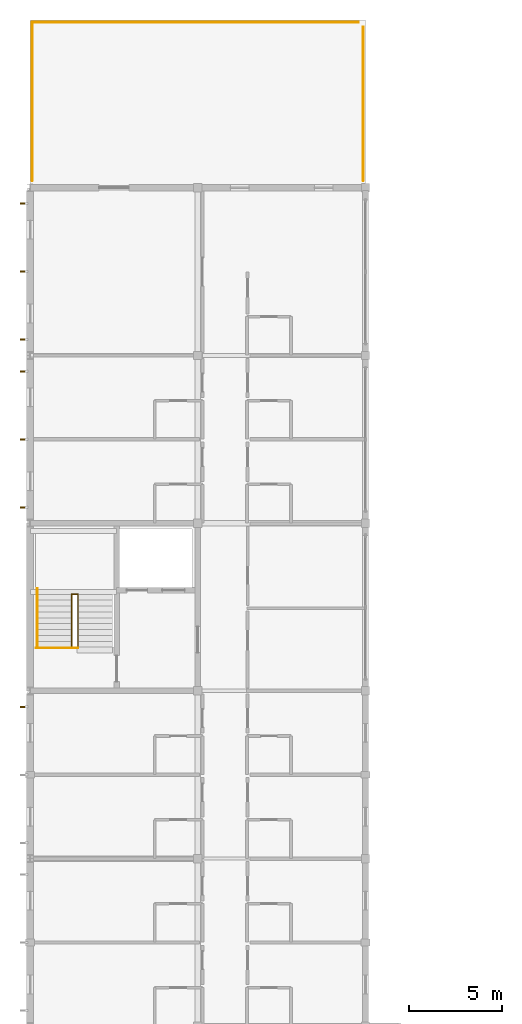
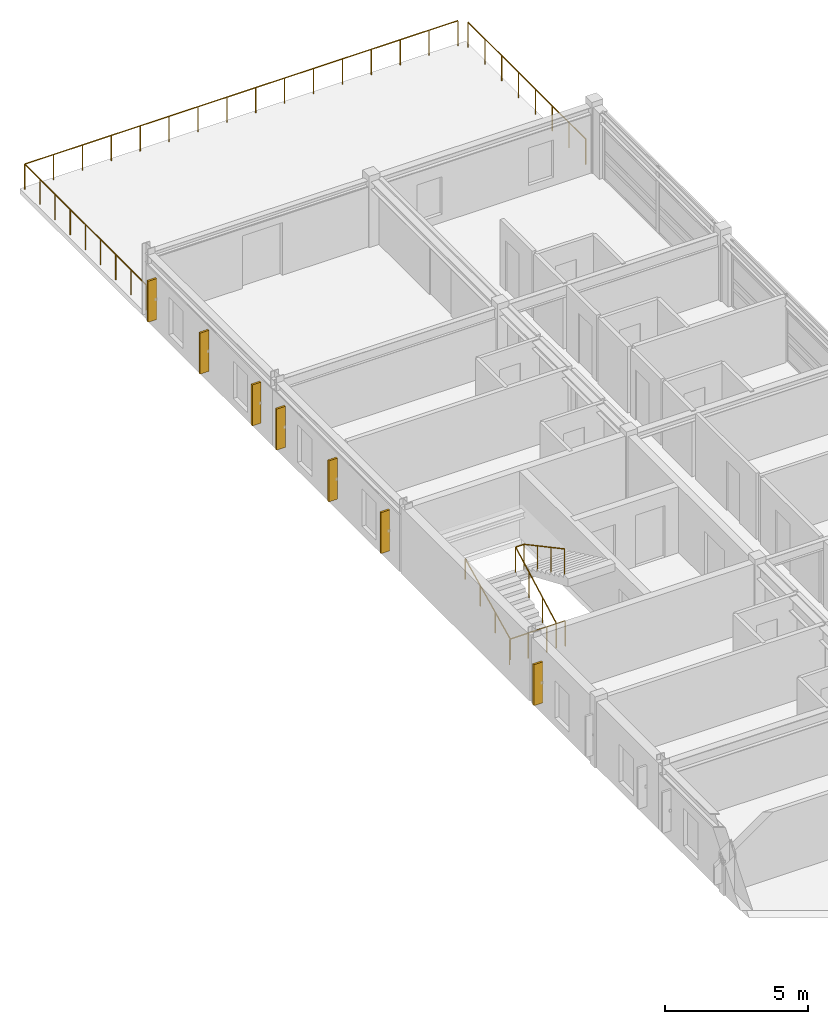
# One storey, part 20 of 20: 7 shading devices, 6 railings.
"""IFC4 building model written with IfcOpenShell, lengths in metres."""

from ifc_helpers import new_model, si_unit, direction, frame, origin, origin_2d, place, context, subcontext, project, spatial, rectangle, circle, extrude, material, type_object, element, save


model = new_model("IFC4")

# Units and contexts
model_context = context("Model", 3, precision=1e-05, world=origin(), true_north=direction((0.0, 1.0)))
body_context = subcontext(model_context, "Body", "Model", "MODEL_VIEW")
ifc_project = project(units=[si_unit("LENGTHUNIT", "METRE"), si_unit("AREAUNIT", "SQUARE_METRE"), si_unit("VOLUMEUNIT", "CUBIC_METRE"), si_unit("PLANEANGLEUNIT", "RADIAN"), si_unit("MASSUNIT", "GRAM", prefix="KILO")], contexts=[model_context])

# Site, building, storey
site_placement = place(None, origin())
site = spatial("IfcSite", under=ifc_project, at=site_placement, CompositionType="ELEMENT")
building_placement = place(site_placement, origin())
building = spatial("IfcBuilding", under=site, at=building_placement, Name="Palais des Congres Ocreval", CompositionType="ELEMENT")
storey_placement = place(building_placement, frame((0.0, 0.0, 20.639892578125)))
storey = spatial("IfcBuildingStorey", under=building, at=storey_placement, Name="L06", CompositionType="ELEMENT", Elevation=20.639892578125)

# Railings
ifc_material_1 = material(Name="Anodized bronze aluminium", Category="aluminium")
railing_type_1 = type_object("IfcRailingType", Name="Bronze Stair and Ramp Handrail 900", PredefinedType="HANDRAIL", material=ifc_material_1)
railing_1_placement = place(storey_placement, frame((0.3798828125, 38.35009765625, 0.152099609375)))
element("IfcRailing", 1, at=railing_1_placement, inside=storey, type_object=railing_type_1, Name="Stair Wall Handrail ST03 L06", PredefinedType="HANDRAIL", context=body_context, shape_type="SweptSolid", body=[
    extrude(circle(Radius=0.02392578125, at=origin_2d()), frame((0.0, 0.0, 0.8759765625), z_axis=(0.0, 0.900621362251, 0.434604604044), x_axis=(-1.0, 0.0, 0.0)), (0.0, 0.0, 1.0), 3.49755859375),
    extrude(circle(Radius=0.02099609375, at=origin_2d()), origin(), (0.0, 0.0, 1.0), 0.851806640625),
    extrude(circle(Radius=0.02099609375, at=origin_2d()), frame((0.0, 1.050048828125, 0.506591796875)), (0.0, 0.0, 1.0), 0.851806640625),
    extrude(circle(Radius=0.02099609375, at=origin_2d()), frame((0.0, 2.099853515625, 1.013427734375)), (0.0, 0.0, 1.0), 0.851806640625),
    extrude(circle(Radius=0.02099609375, at=origin_2d()), frame((0.0, 3.14990234375, 1.52001953125)), (0.0, 0.0, 1.0), 0.851806640625),
])
ifc_material_2 = material(Name="Steel S355", Category="steel")
railing_type_2 = type_object("IfcRailingType", Name="Stairwell Steel Guardrail 1100", PredefinedType="GUARDRAIL", material=ifc_material_2)
railing_2_placement = place(storey_placement, frame((0.320068359375, 38.300048828125, 0.0)))
element("IfcRailing", 2, at=railing_2_placement, inside=storey, type_object=railing_type_2, Name="Stairwell Landing Edge Guard ST03 L06", PredefinedType="GUARDRAIL", context=body_context, shape_type="SweptSolid", body=[
    extrude(circle(Radius=0.02392578125, at=origin_2d()), frame((0.0, 0.0, 1.076171875), z_axis=(1.0, 0.0, 0.0), x_axis=(0.0, 1.0, 0.0)), (0.0, 0.0, 1.0), 2.25),
    extrude(circle(Radius=0.02099609375, at=origin_2d()), origin(), (0.0, 0.0, 1.0), 1.052001953125),
    extrude(circle(Radius=0.02099609375, at=origin_2d()), frame((0.75, 0.0, 0.0)), (0.0, 0.0, 1.0), 1.052001953125),
    extrude(circle(Radius=0.02099609375, at=origin_2d()), frame((1.5, 0.0, 0.0)), (0.0, 0.0, 1.0), 1.052001953125),
    extrude(circle(Radius=0.02099609375, at=origin_2d()), frame((2.25, 0.0, 0.0)), (0.0, 0.0, 1.0), 1.052001953125),
])
railing_3_placement = place(storey_placement, frame((2.22998046875, 38.35009765625, 0.0)))
element("IfcRailing", 3, at=railing_3_placement, inside=storey, type_object=railing_type_2, Name="Stair Inner Guardrail ST03 L06", PredefinedType="GUARDRAIL", context=body_context, shape_type="SweptSolid", body=[
    extrude(circle(Radius=0.02392578125, at=origin_2d()), frame((0.0, 0.0, 1.076171875), z_axis=(0.0, 0.881312927046, 0.472533093678), x_axis=(-1.0, 0.0, 0.0)), (0.0, 0.0, 1.0), 3.216796875),
    extrude(circle(Radius=0.02392578125, at=origin_2d()), frame((0.0, 2.8349609375, 2.59619140625), z_axis=(1.0, 0.0, 0.0), x_axis=(0.0, 1.0, 0.0)), (0.0, 0.0, 1.0), 0.340087890625),
    extrude(circle(Radius=0.02392578125, at=origin_2d()), frame((0.340087890625, 2.8349609375, 2.59619140625), z_axis=(0.0, -0.881312927046, 0.472533093678), x_axis=(1.0, 0.0, 0.0)), (0.0, 0.0, 1.0), 3.216796875),
    extrude(circle(Radius=0.02099609375, at=origin_2d()), origin(), (0.0, 0.0, 1.0), 1.052001953125),
    extrude(circle(Radius=0.02099609375, at=origin_2d()), frame((0.0, 0.945068359375, 0.506591796875)), (0.0, 0.0, 1.0), 1.052001953125),
    extrude(circle(Radius=0.02099609375, at=origin_2d()), frame((0.0, 1.889892578125, 1.013427734375)), (0.0, 0.0, 1.0), 1.052001953125),
    extrude(circle(Radius=0.02099609375, at=origin_2d()), frame((0.0, 2.8349609375, 1.52001953125)), (0.0, 0.0, 1.0), 1.052001953125),
    extrude(circle(Radius=0.02099609375, at=origin_2d()), frame((0.340087890625, 2.8349609375, 1.52001953125)), (0.0, 0.0, 1.0), 1.052001953125),
    extrude(circle(Radius=0.02099609375, at=origin_2d()), frame((0.340087890625, 1.889892578125, 2.026611328125)), (0.0, 0.0, 1.0), 1.052001953125),
    extrude(circle(Radius=0.02099609375, at=origin_2d()), frame((0.340087890625, 0.945068359375, 2.533447265625)), (0.0, 0.0, 1.0), 1.052001953125),
    extrude(circle(Radius=0.02099609375, at=origin_2d()), frame((0.340087890625, 0.0, 3.0400390625)), (0.0, 0.0, 1.0), 1.052001953125),
])
railing_type_3 = type_object("IfcRailingType", Name="Terrace Bronze Balustrade 1100", PredefinedType="BALUSTRADE", material=ifc_material_1)
railing_4_placement = place(storey_placement, frame((17.8798828125, 63.3798828125, 0.0)))
element("IfcRailing", 4, at=railing_4_placement, inside=storey, type_object=railing_type_3, Name="Terrace Guard Balustrade TER-L06-V4N-2", PredefinedType="BALUSTRADE", context=body_context, shape_type="SweptSolid", body=[
    extrude(circle(Radius=0.02392578125, at=origin_2d()), frame((0.0, 0.0, 1.076171875), z_axis=(0.0, 1.0, 0.0), x_axis=(-1.0, 0.0, 0.0)), (0.0, 0.0, 1.0), 8.240234375),
    extrude(circle(Radius=0.02099609375, at=origin_2d()), origin(), (0.0, 0.0, 1.0), 1.052001953125),
    extrude(circle(Radius=0.02099609375, at=origin_2d()), frame((0.0, 1.17724609375, 0.0)), (0.0, 0.0, 1.0), 1.052001953125),
    extrude(circle(Radius=0.02099609375, at=origin_2d()), frame((0.0, 2.354248046875, 0.0)), (0.0, 0.0, 1.0), 1.052001953125),
    extrude(circle(Radius=0.02099609375, at=origin_2d()), frame((0.0, 3.531494140625, 0.0)), (0.0, 0.0, 1.0), 1.052001953125),
    extrude(circle(Radius=0.02099609375, at=origin_2d()), frame((0.0, 4.708740234375, 0.0)), (0.0, 0.0, 1.0), 1.052001953125),
    extrude(circle(Radius=0.02099609375, at=origin_2d()), frame((0.0, 5.885986328125, 0.0)), (0.0, 0.0, 1.0), 1.052001953125),
    extrude(circle(Radius=0.02099609375, at=origin_2d()), frame((0.0, 7.06298828125, 0.0)), (0.0, 0.0, 1.0), 1.052001953125),
    extrude(circle(Radius=0.02099609375, at=origin_2d()), frame((0.0, 8.240234375, 0.0)), (0.0, 0.0, 1.0), 1.052001953125),
])
railing_5_placement = place(storey_placement, frame((17.6201171875, 71.8798828125, 0.0)))
element("IfcRailing", 5, at=railing_5_placement, inside=storey, type_object=railing_type_3, Name="Terrace Guard Balustrade TER-L06-V4N-3", PredefinedType="BALUSTRADE", context=body_context, shape_type="SweptSolid", body=[
    extrude(circle(Radius=0.02392578125, at=origin_2d()), frame((0.0, 0.0, 1.076171875), z_axis=(-1.0, 0.0, 0.0), x_axis=(0.0, -1.0, 0.0)), (0.0, 0.0, 1.0), 17.5),
    extrude(circle(Radius=0.02099609375, at=origin_2d()), origin(), (0.0, 0.0, 1.0), 1.052001953125),
    extrude(circle(Radius=0.02099609375, at=origin_2d()), frame((-1.166748046875, 0.0, 0.0)), (0.0, 0.0, 1.0), 1.052001953125),
    extrude(circle(Radius=0.02099609375, at=origin_2d()), frame((-2.333251953125, 0.0, 0.0)), (0.0, 0.0, 1.0), 1.052001953125),
    extrude(circle(Radius=0.02099609375, at=origin_2d()), frame((-3.5, 0.0, 0.0)), (0.0, 0.0, 1.0), 1.052001953125),
    extrude(circle(Radius=0.02099609375, at=origin_2d()), frame((-4.666748046875, 0.0, 0.0)), (0.0, 0.0, 1.0), 1.052001953125),
    extrude(circle(Radius=0.02099609375, at=origin_2d()), frame((-5.833251953125, 0.0, 0.0)), (0.0, 0.0, 1.0), 1.052001953125),
    extrude(circle(Radius=0.02099609375, at=origin_2d()), frame((-7.0, 0.0, 0.0)), (0.0, 0.0, 1.0), 1.052001953125),
    extrude(circle(Radius=0.02099609375, at=origin_2d()), frame((-8.166748046875, 0.0, 0.0)), (0.0, 0.0, 1.0), 1.052001953125),
    extrude(circle(Radius=0.02099609375, at=origin_2d()), frame((-9.333251953125, 0.0, 0.0)), (0.0, 0.0, 1.0), 1.052001953125),
    extrude(circle(Radius=0.02099609375, at=origin_2d()), frame((-10.5, 0.0, 0.0)), (0.0, 0.0, 1.0), 1.052001953125),
    extrude(circle(Radius=0.02099609375, at=origin_2d()), frame((-11.666748046875, 0.0, 0.0)), (0.0, 0.0, 1.0), 1.052001953125),
    extrude(circle(Radius=0.02099609375, at=origin_2d()), frame((-12.833251953125, 0.0, 0.0)), (0.0, 0.0, 1.0), 1.052001953125),
    extrude(circle(Radius=0.02099609375, at=origin_2d()), frame((-14.0, 0.0, 0.0)), (0.0, 0.0, 1.0), 1.052001953125),
    extrude(circle(Radius=0.02099609375, at=origin_2d()), frame((-15.166748046875, 0.0, 0.0)), (0.0, 0.0, 1.0), 1.052001953125),
    extrude(circle(Radius=0.02099609375, at=origin_2d()), frame((-16.333251953125, 0.0, 0.0)), (0.0, 0.0, 1.0), 1.052001953125),
    extrude(circle(Radius=0.02099609375, at=origin_2d()), frame((-17.5, 0.0, 0.0)), (0.0, 0.0, 1.0), 1.052001953125),
])
railing_6_placement = place(storey_placement, frame((0.1201171875, 71.8798828125, 0.0)))
element("IfcRailing", 6, at=railing_6_placement, inside=storey, type_object=railing_type_3, Name="Terrace Guard Balustrade TER-L06-V4N-4", PredefinedType="BALUSTRADE", context=body_context, shape_type="SweptSolid", body=[
    extrude(circle(Radius=0.02392578125, at=origin_2d()), frame((0.0, 0.0, 1.076171875), z_axis=(0.0, -1.0, 0.0), x_axis=(1.0, 0.0, 0.0)), (0.0, 0.0, 1.0), 8.5),
    extrude(circle(Radius=0.02099609375, at=origin_2d()), origin(), (0.0, 0.0, 1.0), 1.052001953125),
    extrude(circle(Radius=0.02099609375, at=origin_2d()), frame((0.0, -1.0625, 0.0)), (0.0, 0.0, 1.0), 1.052001953125),
    extrude(circle(Radius=0.02099609375, at=origin_2d()), frame((0.0, -2.125, 0.0)), (0.0, 0.0, 1.0), 1.052001953125),
    extrude(circle(Radius=0.02099609375, at=origin_2d()), frame((0.0, -3.1875, 0.0)), (0.0, 0.0, 1.0), 1.052001953125),
    extrude(circle(Radius=0.02099609375, at=origin_2d()), frame((0.0, -4.25, 0.0)), (0.0, 0.0, 1.0), 1.052001953125),
    extrude(circle(Radius=0.02099609375, at=origin_2d()), frame((0.0, -5.3125, 0.0)), (0.0, 0.0, 1.0), 1.052001953125),
    extrude(circle(Radius=0.02099609375, at=origin_2d()), frame((0.0, -6.375, 0.0)), (0.0, 0.0, 1.0), 1.052001953125),
    extrude(circle(Radius=0.02099609375, at=origin_2d()), frame((0.0, -7.4375, 0.0)), (0.0, 0.0, 1.0), 1.052001953125),
    extrude(circle(Radius=0.02099609375, at=origin_2d()), frame((0.0, -8.5, 0.0)), (0.0, 0.0, 1.0), 1.052001953125),
])

# Shading devices
ifc_material_3 = material(Name="Terracotta ceramic", Category="masonry")
shading_device_type = type_object("IfcShadingDeviceType", Name="Terracotta Ceramic Brise-Soleil Fin 360", PredefinedType="JALOUSIE", material=ifc_material_3)
for number, where, z_axis, x_axis, name in (
    (7, (-0.360107421875, 35.14990234375, 0.47509765625), (0.0, 0.0, 1.0), (-1.0, 0.0, 0.0), "Ceramic Celosia Sun-Fin SD01"),
    (8, (-0.360107421875, 45.85009765625, 0.47509765625), (0.0, 0.0, 1.0), (-1.0, 0.0, 0.0), "Ceramic Celosia Sun-Fin SD01"),
    (9, (-0.360107421875, 49.5, 0.47509765625), (0.0, 0.0, 1.0), (-1.0, 0.0, 0.0), "Ceramic Celosia Sun-Fin SD01"),
    (10, (-0.360107421875, 53.14990234375, 0.47509765625), (0.0, 0.0, 1.0), (-1.0, 0.0, 0.0), "Ceramic Celosia Sun-Fin SD01"),
    (11, (-0.360107421875, 54.85009765625, 0.47509765625), (0.0, 0.0, 1.0), (-1.0, 0.0, 0.0), "Ceramic Celosia Sun-Fin SD01"),
    (12, (-0.360107421875, 58.5, 0.47509765625), (0.0, 0.0, 1.0), (-1.0, 0.0, 0.0), "Ceramic Celosia Sun-Fin SD01"),
    (13, (-0.360107421875, 62.14990234375, 0.47509765625), (0.0, 0.0, 1.0), (-1.0, 0.0, 0.0), "Ceramic Celosia Sun-Fin SD01"),
):
    element("IfcShadingDevice", number, at=place(storey_placement, frame(where, z_axis=z_axis, x_axis=x_axis)), inside=storey, type_object=shading_device_type, Name=name, PredefinedType="JALOUSIE", context=body_context, shape_type="SweptSolid", body=[
        extrude(rectangle(XDim=0.360107421875, YDim=0.080078125, at=origin_2d()), origin(), (0.0, 0.0, 1.0), 1.75),
    ])

save(model, "model.ifc")
